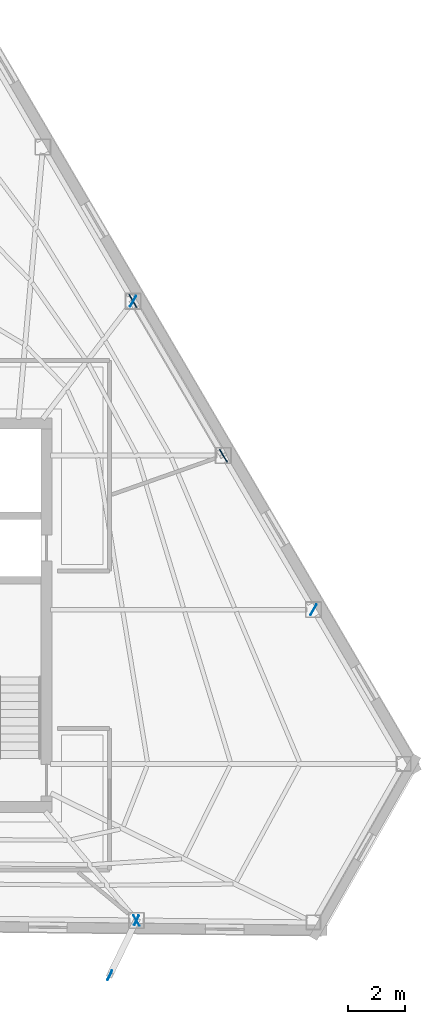
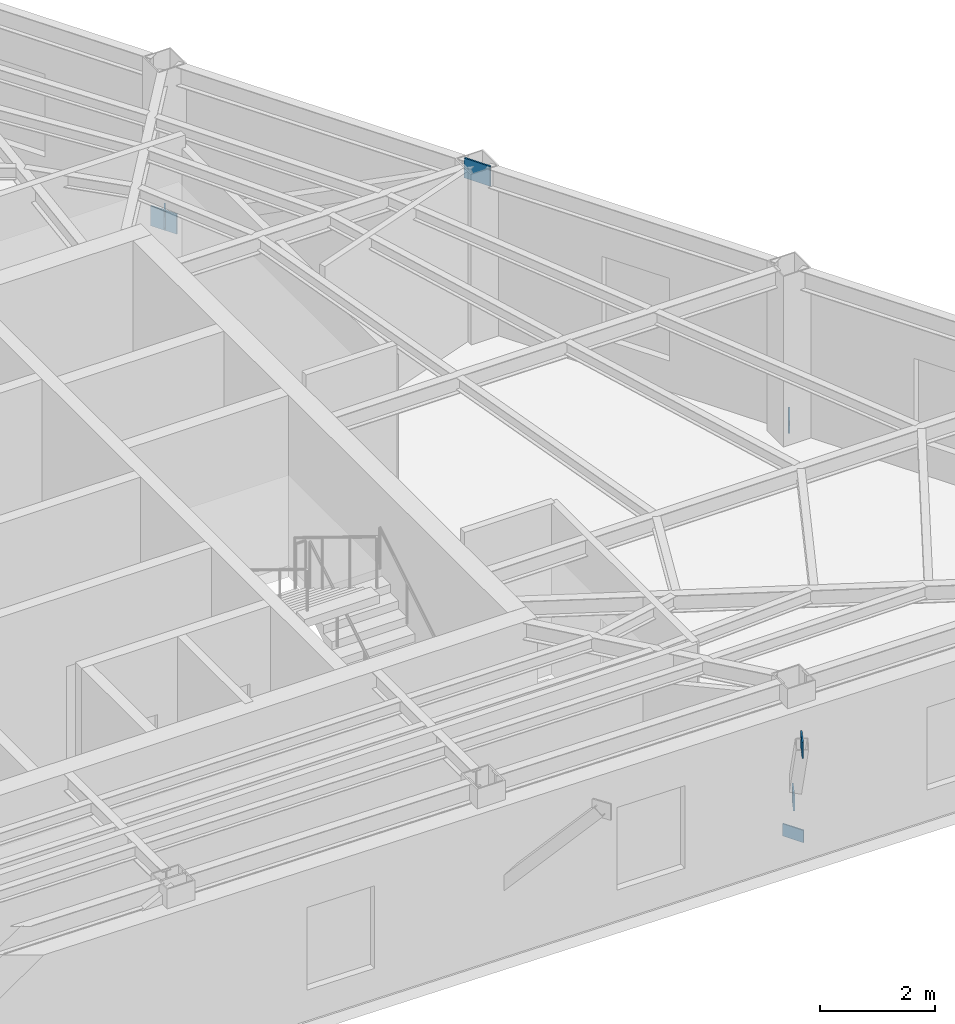
# One storey, part 6 of 11: 7 plates.
"""IFC4 building model written with IfcOpenShell, lengths in metres."""

from ifc_helpers import new_model, si_unit, direction, frame, origin, origin_2d, place, context, subcontext, project, spatial, rectangle, extrude, material, layer, layer_set, type_object, element, save


model = new_model("IFC4")

# Units and contexts
model_context = context("Model", 3, precision=1e-05, world=origin(), true_north=direction((0.0, 1.0)))
body_context = subcontext(model_context, "Body", "Model", "MODEL_VIEW")
ifc_project = project(units=[si_unit("LENGTHUNIT", "METRE"), si_unit("AREAUNIT", "SQUARE_METRE"), si_unit("VOLUMEUNIT", "CUBIC_METRE"), si_unit("PLANEANGLEUNIT", "RADIAN"), si_unit("MASSUNIT", "GRAM", prefix="KILO")], contexts=[model_context])

# Site, building, storey
site_placement = place(None, origin())
site = spatial("IfcSite", under=ifc_project, at=site_placement, CompositionType="ELEMENT")
building_placement = place(site_placement, origin())
building = spatial("IfcBuilding", under=site, at=building_placement, Name="Kavelnor Concourse Tower", CompositionType="ELEMENT")
storey_placement = place(building_placement, frame((0.0, 0.0, 258.75)))
storey = spatial("IfcBuildingStorey", under=building, at=storey_placement, Name="L65", CompositionType="ELEMENT", Elevation=258.75)

# Plates
ifc_material = material(Name="Steel Grade 350", Category="steel")
ifc_layer_1 = layer(ifc_material, 0.028076171875, Name="Steel Grade 350")
ifc_layer_set_1 = layer_set([ifc_layer_1], Name="Steel Grade 350")
plate_type_1 = type_object("IfcPlateType", Name="PL-GUSSET-FOLD", PredefinedType="USERDEFINED", material=ifc_layer_set_1)
for number, where, z_axis, x_axis, name in (
    (1, (50.8564453125, 5.456787109375, 0.8798828125), (0.0, 0.0, 1.0), (-0.437115766651, -0.899405251566, 0.0), "L65 Balcony Strut Gusset GP4 2-B End Gusset A"),
    (2, (49.92333984375, 3.537109375, 3.48486328125), (0.0, 0.0, 1.0), (-0.437115766651, -0.899405251566, 0.0), "L65 Balcony Strut Gusset GP4 2-B End Gusset B"),
):
    element("IfcPlate", number, at=place(storey_placement, frame(where, z_axis=z_axis, x_axis=x_axis)), inside=storey, type_object=plate_type_1, Name=name, ObjectType="GUSSET_PLATE", PredefinedType="USERDEFINED", context=body_context, shape_type="SweptSolid", body=[
        extrude(rectangle(XDim=0.360107421875, YDim=0.028076171875, at=origin_2d()), origin(), (0.0, 0.0, 1.0), 0.340087890625),
    ])
ifc_layer_2 = layer(ifc_material, 0.031982421875, Name="Steel Grade 350")
ifc_layer_set_2 = layer_set([ifc_layer_2], Name="Steel Grade 350")
plate_type_2 = type_object("IfcPlateType", Name="PL-GUSSET-TUBE-Z1", PredefinedType="USERDEFINED", material=ifc_layer_set_2)
for number, where, z_axis, x_axis, name in (
    (3, (50.728271484375, 27.07373046875, 0.010009765625), (0.0, 0.0, 1.0), (0.504828974973, -0.863219384645, 0.0), "L65 Tube Brace Gusset GP3 F2-B2 End Gusset A"),
    (4, (53.888916015625, 21.668701171875, 3.197021484375), (0.0, 0.0, 1.0), (0.504828974973, -0.863219384645, 0.0), "L65 Tube Brace Gusset GP3 F2-B2 End Gusset B"),
):
    element("IfcPlate", number, at=place(storey_placement, frame(where, z_axis=z_axis, x_axis=x_axis)), inside=storey, type_object=plate_type_2, Name=name, ObjectType="GUSSET_PLATE", PredefinedType="USERDEFINED", context=body_context, shape_type="SweptSolid", body=[
        extrude(rectangle(XDim=0.52001953125, YDim=0.031982421875, at=origin_2d()), origin(), (0.0, 0.0, 1.0), 0.419921875),
    ])
ifc_layer_3 = layer(ifc_material, 0.02490234375, Name="Steel Grade 350")
ifc_layer_set_3 = layer_set([ifc_layer_3], Name="Steel Grade 350")
plate_type_3 = type_object("IfcPlateType", Name="PL-SPLICE-FLANGE", PredefinedType="SHEET", material=ifc_layer_set_3)
for number, where, z_axis, x_axis, name in (
    (5, (50.851318359375, 5.446044921875, 0.169921875), (0.0, 0.0, 1.0), (-0.5, 0.866025403784, 0.0), "L65 Column Flange Splice Plate F1-B5"),
    (6, (57.031494140625, 16.294921875, 0.169921875), (0.0, 0.0, 1.0), (-0.5, -0.866025403784, 0.0), "L65 Column Flange Splice Plate F2-B1"),
    (7, (50.734375, 27.063232421875, 0.169921875), (0.0, 0.0, 1.0), (-0.5, -0.866025403784, 0.0), "L65 Column Flange Splice Plate F2-B3"),
):
    element("IfcPlate", number, at=place(storey_placement, frame(where, z_axis=z_axis, x_axis=x_axis)), inside=storey, type_object=plate_type_3, Name=name, PredefinedType="SHEET", context=body_context, shape_type="SweptSolid", body=[
        extrude(rectangle(XDim=0.419921875, YDim=0.02490234375, at=origin_2d()), origin(), (0.0, 0.0, 1.0), 0.260009765625),
    ])

save(model, "model.ifc")
